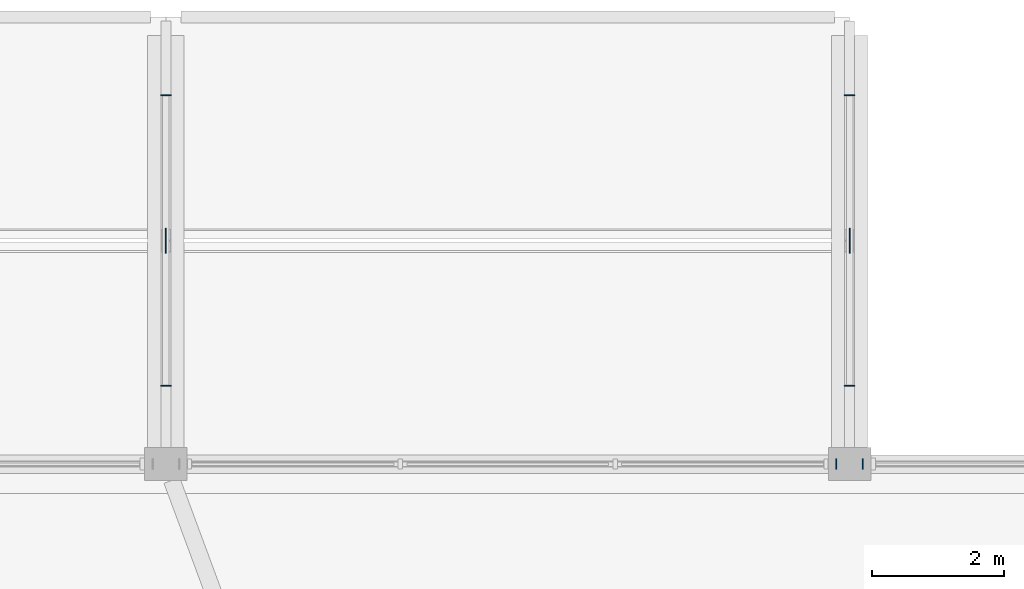
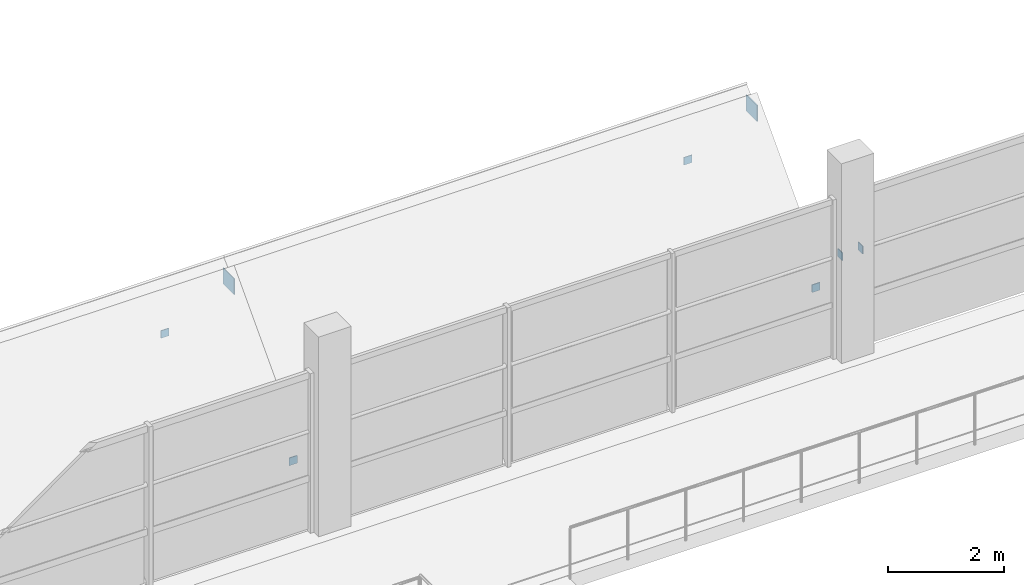
# One storey, part 45 of 85: 8 plates.
"""IFC4 building model written with IfcOpenShell, lengths in metres."""

from ifc_helpers import new_model, si_unit, derived_unit, direction, frame, origin, origin_2d, place, context, subcontext, project, spatial, rectangle, extrude, material, layer, layer_set, type_object, element, save


model = new_model("IFC4")

# Units and contexts
model_context = context("Model", 3, precision=1e-05, world=origin(), true_north=direction((0.0, 1.0)))
body_context = subcontext(model_context, "Body", "Model", "MODEL_VIEW")
ifc_project = project(units=[si_unit("LENGTHUNIT", "METRE"), si_unit("AREAUNIT", "SQUARE_METRE"), si_unit("VOLUMEUNIT", "CUBIC_METRE"), si_unit("PLANEANGLEUNIT", "RADIAN"), si_unit("MASSUNIT", "GRAM", prefix="KILO"), derived_unit("THERMALTRANSMITTANCEUNIT", [(si_unit("POWERUNIT", "WATT"), 1), (si_unit("LENGTHUNIT", "METRE"), -2), (si_unit("THERMODYNAMICTEMPERATUREUNIT", "KELVIN"), -1)])], contexts=[model_context])

# Site, building, storey
site_placement = place(None, origin())
site = spatial("IfcSite", under=ifc_project, at=site_placement, CompositionType="ELEMENT")
building_placement = place(site_placement, origin())
building = spatial("IfcBuilding", under=site, at=building_placement, Name="Braskholm Square Health Centre", CompositionType="ELEMENT")
storey_placement = place(building_placement, frame((0.0, 0.0, 9.300048828125)))
storey = spatial("IfcBuildingStorey", under=building, at=storey_placement, Name="L03", CompositionType="ELEMENT", Elevation=9.300048828125)

# Plates
ifc_material = material(Name="Steel ASTM A572 Grade 50", Category="steel")
ifc_layer_1 = layer(ifc_material, 0.01611328125)
ifc_layer_set_1 = layer_set([ifc_layer_1], Name="Steel ASTM A572 Grade 50")
plate_type_1 = type_object("IfcPlateType", Name="CapPlateHSS152TN8", PredefinedType="USERDEFINED", material=ifc_layer_set_1)
for number, where, z_axis, x_axis, name in (
    (1, (109.798095703125, 107.0, 2.02001953125), (0.0, 0.0, 1.0), (1.0, 0.0, 0.0), "Hollow section end cap plate 0320"),
    (2, (110.201904296875, 107.0, 2.02001953125), (0.0, 0.0, 1.0), (1.0, 0.0, 0.0), "Hollow section end cap plate 0327"),
    (3, (99.60009765625, 108.19189453125, 0.5400390625), (0.0, 0.0, 1.0), (0.0, 1.0, 0.0), "Hollow section end cap plate 0341"),
    (4, (99.60009765625, 112.60791015625, 0.5400390625), (0.0, 0.0, 1.0), (0.0, 1.0, 0.0), "Hollow section end cap plate 0342"),
    (5, (110.0, 108.19189453125, 0.5400390625), (0.0, 0.0, 1.0), (0.0, 1.0, 0.0), "Hollow section end cap plate 0344"),
    (6, (110.0, 112.60791015625, 0.5400390625), (0.0, 0.0, 1.0), (0.0, 1.0, 0.0), "Hollow section end cap plate 0345"),
):
    element("IfcPlate", number, at=place(storey_placement, frame(where, z_axis=z_axis, x_axis=x_axis)), inside=storey, type_object=plate_type_1, Name=name, ObjectType="CAP_PLATE", PredefinedType="USERDEFINED", context=body_context, shape_type="SweptSolid", body=[
        extrude(rectangle(XDim=0.01611328125, YDim=0.159912109375, at=origin_2d()), origin(), (0.0, 0.0, 1.0), 0.159912109375),
    ])
ifc_layer_2 = layer(ifc_material, 0.01806640625)
ifc_layer_set_2 = layer_set([ifc_layer_2], Name="Steel ASTM A572 Grade 50")
plate_type_2 = type_object("IfcPlateType", Name="NodeGussetConservatoryTN5", PredefinedType="USERDEFINED", material=ifc_layer_set_2)
for number, where, z_axis, x_axis, name in (
    (7, (99.60009765625, 110.39990234375, 2.8798828125), (0.0, 0.0, 1.0), (1.0, 0.0, 0.0), "Conservatory ridge gusset plate 0343"),
    (8, (110.0, 110.39990234375, 2.8798828125), (0.0, 0.0, 1.0), (1.0, 0.0, 0.0), "Conservatory ridge gusset plate 0346"),
):
    element("IfcPlate", number, at=place(storey_placement, frame(where, z_axis=z_axis, x_axis=x_axis)), inside=storey, type_object=plate_type_2, Name=name, ObjectType="GUSSET_PLATE", PredefinedType="USERDEFINED", context=body_context, shape_type="SweptSolid", body=[
        extrude(rectangle(XDim=0.01806640625, YDim=0.3798828125, at=origin_2d()), origin(), (0.0, 0.0, 1.0), 0.340087890625),
    ])

save(model, "model.ifc")
